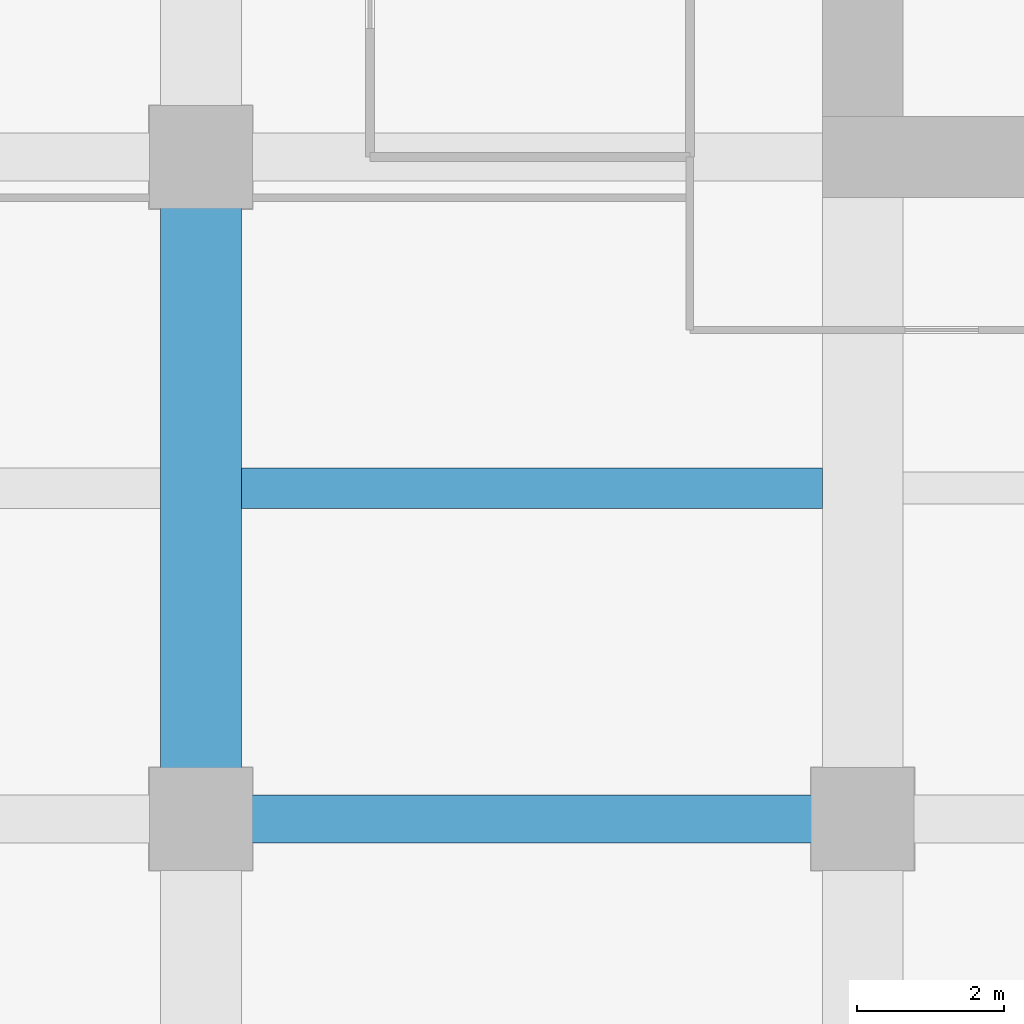
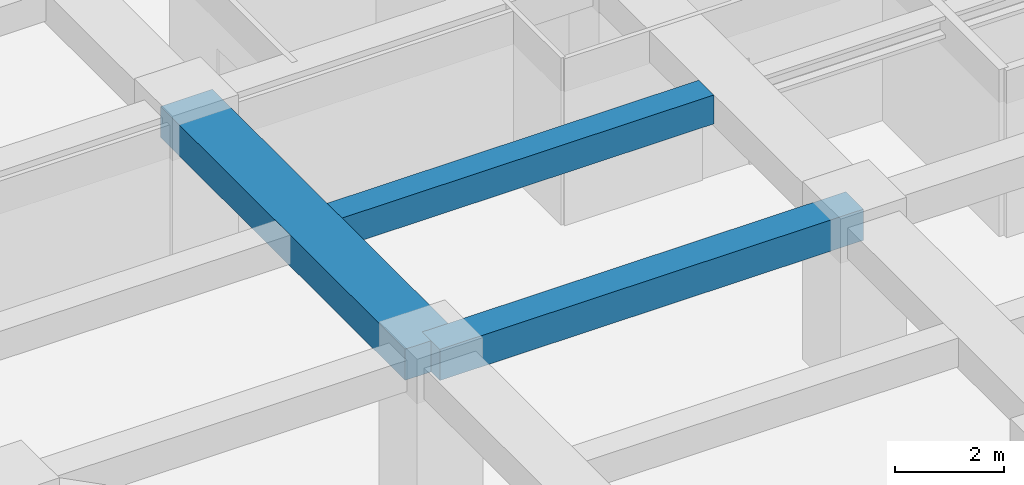
# One storey, part 5 of 32: 3 beams.
"""IFC4 building model written with IfcOpenShell, lengths in metres."""

from ifc_helpers import new_model, si_unit, direction, frame, origin, origin_2d, place, context, subcontext, project, spatial, rectangle, extrude, material, material_profile, profile_set, type_object, element, save


model = new_model("IFC4")

# Units and contexts
model_context = context("Model", 3, precision=1e-05, world=origin(), true_north=direction((0.0, 1.0)))
body_context = subcontext(model_context, "Body", "Model", "MODEL_VIEW")
ifc_project = project(units=[si_unit("LENGTHUNIT", "METRE"), si_unit("AREAUNIT", "SQUARE_METRE"), si_unit("VOLUMEUNIT", "CUBIC_METRE"), si_unit("PLANEANGLEUNIT", "RADIAN"), si_unit("MASSUNIT", "GRAM", prefix="KILO")], contexts=[model_context])

# Site, building, storey
site_placement = place(None, origin())
site = spatial("IfcSite", under=ifc_project, at=site_placement, CompositionType="ELEMENT")
building_placement = place(site_placement, origin())
building = spatial("IfcBuilding", under=site, at=building_placement, Name="Zorevar Civic Tower", CompositionType="ELEMENT")
storey_placement = place(building_placement, frame((0.0, 0.0, 198.199951171875)))
storey = spatial("IfcBuildingStorey", under=building, at=storey_placement, Name="L48", CompositionType="ELEMENT", Elevation=198.199951171875)

# Beams
ifc_material_1 = material(Name="Concrete C50/60", Category="concrete")
ifc_material_profile_1 = material_profile(ifc_material_1, rectangle(XDim=1.10009765625, YDim=0.699951171875, at=origin_2d()), Name="RC 1100x700")
ifc_profile_set_1 = profile_set([ifc_material_profile_1], Name="Concrete C50/60")
beam_type_1 = type_object("IfcBeamType", Name="Beam RC 1100x700", PredefinedType="BEAM", material=ifc_profile_set_1)
beam_1_placement = place(storey_placement, frame((9.0, 9.0, 3.400146484375), z_axis=(0.0, 1.0, 0.0), x_axis=(-1.0, 0.0, 0.0)))
element("IfcBeam", 1, at=beam_1_placement, inside=storey, type_object=beam_type_1, Name="Girder L49", PredefinedType="BEAM", context=body_context, shape_type="SweptSolid", body=[
    extrude(rectangle(XDim=1.10009765625, YDim=0.699951171875, at=origin_2d()), origin(), (0.0, 0.0, 1.0), 9.0),
])
ifc_material_2 = material(Name="Concrete C50/60", Category="concrete")
ifc_material_profile_2 = material_profile(ifc_material_2, rectangle(XDim=0.550048828125, YDim=0.64990234375, at=origin_2d()), Name="RC 550x650")
ifc_profile_set_2 = profile_set([ifc_material_profile_2], Name="Concrete C50/60")
beam_type_2 = type_object("IfcBeamType", Name="Beam RC 550x650", PredefinedType="BEAM", material=ifc_profile_set_2)
beam_2_placement = place(storey_placement, frame((9.550048828125, 13.5, 3.425048828125), z_axis=(1.0, 0.0, 0.0), x_axis=(0.0, 1.0, 0.0)))
element("IfcBeam", 2, at=beam_2_placement, inside=storey, type_object=beam_type_2, Name="Secondary beam L49", PredefinedType="BEAM", context=body_context, shape_type="SweptSolid", body=[
    extrude(rectangle(XDim=0.550048828125, YDim=0.64990234375, at=origin_2d()), origin(), (0.0, 0.0, 1.0), 7.89990234375),
])
ifc_material_3 = material(Name="Concrete C50/60", Category="concrete")
ifc_material_profile_3 = material_profile(ifc_material_3, rectangle(XDim=0.64990234375, YDim=0.699951171875, at=origin_2d()), Name="RC 650x700")
ifc_profile_set_3 = profile_set([ifc_material_profile_3], Name="Concrete C50/60")
beam_type_3 = type_object("IfcBeamType", Name="Beam RC 650x700", PredefinedType="BEAM", material=ifc_profile_set_3)
beam_3_placement = place(storey_placement, frame((9.0, 9.0, 3.400146484375), z_axis=(1.0, 0.0, 0.0), x_axis=(0.0, 1.0, 0.0)))
element("IfcBeam", 3, at=beam_3_placement, inside=storey, type_object=beam_type_3, Name="Girder L49", PredefinedType="BEAM", context=body_context, shape_type="SweptSolid", body=[
    extrude(rectangle(XDim=0.64990234375, YDim=0.699951171875, at=origin_2d()), origin(), (0.0, 0.0, 1.0), 9.0),
])

save(model, "model.ifc")
